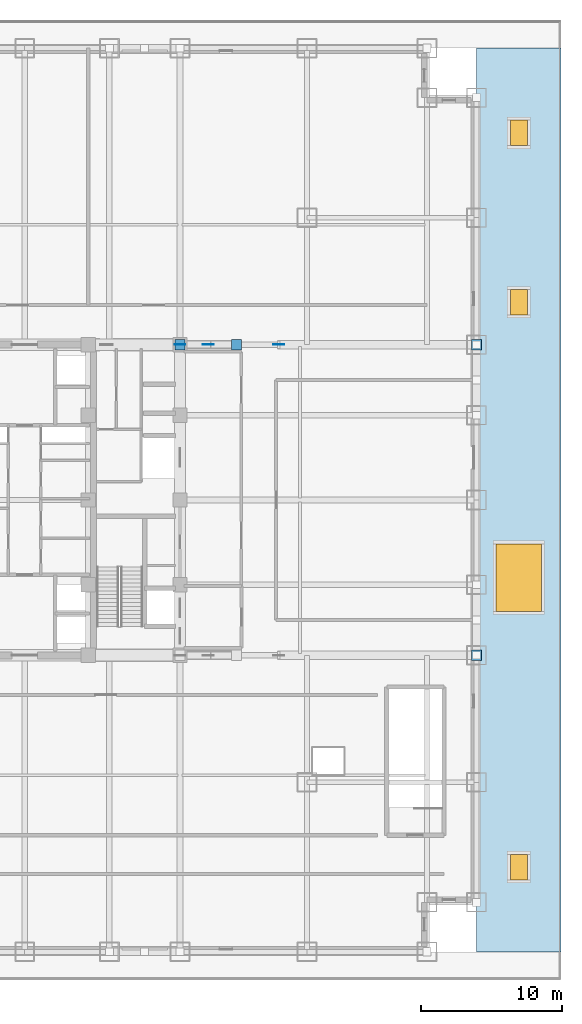
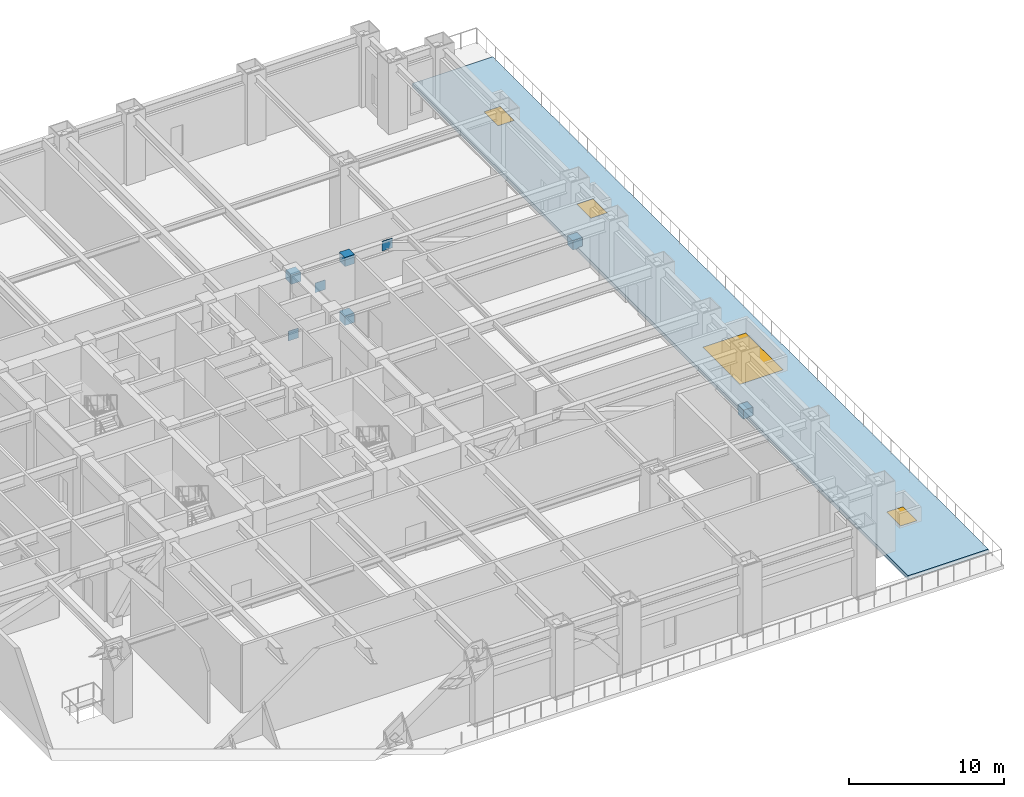
# One storey, part 9 of 21: 8 plates, 3 doors, 1 slab, 1 window, 4 openings.
"""IFC4 building model written with IfcOpenShell, lengths in metres."""

from ifc_helpers import new_model, si_unit, direction, frame, origin, origin_2d, place, context, subcontext, project, spatial, polyline, rectangle, outline, extrude, source, transform, mapped, material, layer, layer_set, type_object, element, fill, save


model = new_model("IFC4")

# Units and contexts
model_context = context("Model", 3, precision=1e-05, world=origin(), true_north=direction((0.0, 1.0)))
body_context = subcontext(model_context, "Body", "Model", "MODEL_VIEW")
ifc_project = project(units=[si_unit("LENGTHUNIT", "METRE"), si_unit("AREAUNIT", "SQUARE_METRE"), si_unit("VOLUMEUNIT", "CUBIC_METRE"), si_unit("PLANEANGLEUNIT", "RADIAN"), si_unit("MASSUNIT", "GRAM", prefix="KILO")], contexts=[model_context])

# Site, building, storey
site_placement = place(None, origin())
site = spatial("IfcSite", under=ifc_project, at=site_placement, CompositionType="ELEMENT")
building_placement = place(site_placement, origin())
building = spatial("IfcBuilding", under=site, at=building_placement, Name="Khorayat Bourse Tower", CompositionType="ELEMENT")
storey_placement = place(building_placement, frame((0.0, 0.0, 27.0)))
storey = spatial("IfcBuildingStorey", under=building, at=storey_placement, Name="L05", CompositionType="ELEMENT", Elevation=27.0)

# Slab, openings, doors, window
ifc_material_1 = material(Name="Concrete C40/50", Category="concrete")
ifc_layer_1 = layer(ifc_material_1, 0.300048828125)
ifc_layer_set_1 = layer_set([ifc_layer_1], Name="Concrete C40/50")
slab_type = type_object("IfcSlabType", Name="SLB-TERR-300", PredefinedType="FLOOR", material=ifc_layer_set_1)
slab_placement = place(storey_placement, frame((0.0, 0.0, -0.25)))
slab = element("IfcSlab", 1, at=slab_placement, inside=storey, type_object=slab_type, Name="L05 Planted Garden Terrace Slab 04", PredefinedType="FLOOR", context=body_context, shape_type="SweptSolid", body=[
    extrude(outline(polyline([(32.0, -32.0), (38.0, -32.0), (38.0, 32.0), (32.0, 32.0), (32.0, -32.0)]), holes=[polyline([(33.39990234375, -7.89990234375), (36.60009765625, -7.89990234375), (36.60009765625, -3.10009765625), (33.39990234375, -3.10009765625), (33.39990234375, -7.89990234375)]), polyline([(34.39990234375, -26.89990234375), (35.60009765625, -26.89990234375), (35.60009765625, -25.10009765625), (34.39990234375, -25.10009765625), (34.39990234375, -26.89990234375)]), polyline([(34.39990234375, 25.10009765625), (35.60009765625, 25.10009765625), (35.60009765625, 26.89990234375), (34.39990234375, 26.89990234375), (34.39990234375, 25.10009765625)]), polyline([(34.39990234375, 13.10009765625), (35.60009765625, 13.10009765625), (35.60009765625, 14.89990234375), (34.39990234375, 14.89990234375), (34.39990234375, 13.10009765625)])]), origin(), (0.0, 0.0, 1.0), 0.300048828125),
])
opening_1_placement = place(slab_placement, frame((35.0, -26.0, 0.0)))
opening_1 = element("IfcOpeningElement", 2, at=opening_1_placement, cuts=slab, Name="Opening RH-01", PredefinedType="OPENING", context=body_context, shape_type="SweptSolid", body=[
    extrude(rectangle(XDim=1.199951171875, YDim=1.800048828125, at=origin_2d()), origin(), (0.0, 0.0, 1.0), 0.300048828125),
])
opening_2_placement = place(slab_placement, frame((35.0, 26.0, 0.0)))
opening_2 = element("IfcOpeningElement", 3, at=opening_2_placement, cuts=slab, Name="Opening RH-01", PredefinedType="OPENING", context=body_context, shape_type="SweptSolid", body=[
    extrude(rectangle(XDim=1.199951171875, YDim=1.800048828125, at=origin_2d()), origin(), (0.0, 0.0, 1.0), 0.300048828125),
])
opening_3_placement = place(slab_placement, frame((35.0, 14.0, 0.0)))
opening_3 = element("IfcOpeningElement", 4, at=opening_3_placement, cuts=slab, Name="Opening RH-01", PredefinedType="OPENING", context=body_context, shape_type="SweptSolid", body=[
    extrude(rectangle(XDim=1.199951171875, YDim=1.800048828125, at=origin_2d()), origin(), (0.0, 0.0, 1.0), 0.300048828125),
])
opening_4_placement = place(slab_placement, frame((35.0, -5.5, 0.0)))
opening_4 = element("IfcOpeningElement", 5, at=opening_4_placement, cuts=slab, Name="Opening SK-01", PredefinedType="OPENING", context=body_context, shape_type="SweptSolid", body=[
    extrude(rectangle(XDim=3.199951171875, YDim=4.800048828125, at=origin_2d()), origin(), (0.0, 0.0, 1.0), 0.300048828125),
])
ifc_material_2 = material(Name="Thermally insulated aluminium roof hatch", Category="aluminium")
door_type = type_object("IfcDoorType", Name="DR-HATCH-ROOF", OperationType="NOTDEFINED", PredefinedType="TRAPDOOR", material=ifc_material_2)
door_1_placement = place(opening_1_placement, frame((0.0, 0.0, 0.25)))
door_1 = element("IfcDoor", 6, at=door_1_placement, inside=storey, type_object=door_type, Name="L05 Maintenance Access Hatch HT-ST3", OperationType="SINGLE_SWING_LEFT", OverallHeight=1.800048828125, OverallWidth=1.199951171875, PredefinedType="TRAPDOOR", context=body_context, shape_type="SweptSolid", body=[
    extrude(rectangle(XDim=1.199951171875, YDim=1.800048828125, at=origin_2d()), origin(), (0.0, 0.0, 1.0), 0.050048828125),
])
fill(opening_1, door_1)
door_2_placement = place(opening_2_placement, frame((0.0, 0.0, 0.25)))
door_2 = element("IfcDoor", 7, at=door_2_placement, inside=storey, type_object=door_type, Name="L05 Maintenance Access Hatch HT-MNT1", OperationType="SINGLE_SWING_LEFT", OverallHeight=1.800048828125, OverallWidth=1.199951171875, PredefinedType="TRAPDOOR", context=body_context, shape_type="SweptSolid", body=[
    extrude(rectangle(XDim=1.199951171875, YDim=1.800048828125, at=origin_2d()), origin(), (0.0, 0.0, 1.0), 0.050048828125),
])
fill(opening_2, door_2)
door_3_placement = place(opening_3_placement, frame((0.0, 0.0, 0.25)))
door_3 = element("IfcDoor", 8, at=door_3_placement, inside=storey, type_object=door_type, Name="L05 Maintenance Access Hatch HT-MNT2", OperationType="SINGLE_SWING_LEFT", OverallHeight=1.800048828125, OverallWidth=1.199951171875, PredefinedType="TRAPDOOR", context=body_context, shape_type="SweptSolid", body=[
    extrude(rectangle(XDim=1.199951171875, YDim=1.800048828125, at=origin_2d()), origin(), (0.0, 0.0, 1.0), 0.050048828125),
])
fill(opening_3, door_3)
ifc_material_3 = material(Name="Ceramic-fritted insulated rooflight glass", Category="glass")
window_type = type_object("IfcWindowType", Name="SKY-POD-3200x4800", PartitioningType="SINGLE_PANEL", PredefinedType="SKYLIGHT", material=ifc_material_3)
window_placement = place(opening_4_placement, frame((0.0, 0.0, 0.25)))
window = element("IfcWindow", 9, at=window_placement, inside=storey, type_object=window_type, Name="L05 Roof Lantern Skylight SKY-L05-E", OverallHeight=4.800048828125, OverallWidth=3.199951171875, PartitioningType="SINGLE_PANEL", PredefinedType="SKYLIGHT", context=body_context, shape_type="SweptSolid", body=[
    extrude(rectangle(XDim=3.199951171875, YDim=4.800048828125, at=origin_2d()), origin(), (0.0, 0.0, 1.0), 0.050048828125),
])
fill(opening_4, window)

# Plates
ifc_material_4 = material(Name="Steel EN 10025-4 S460M", Category="steel")
ifc_layer_2 = layer(ifc_material_4, 0.0400390625)
ifc_layer_set_2 = layer_set([ifc_layer_2], Name="Steel EN 10025-4 S460M")
plate_type_1 = type_object("IfcPlateType", Name="PLT-GUSSET-40", PredefinedType="USERDEFINED", material=ifc_layer_set_2)
shared_shape_1 = source(origin(), body_context, "Body", "SweptSolid", [
    extrude(rectangle(XDim=0.760009765625, YDim=0.0400390625, at=origin_2d()), origin(), (0.0, 0.0, 1.0), 0.760009765625),
])
for number, where, z_axis, x_axis, name in (
    (10, (11.0, 11.0, -0.02978515625), (0.0, 0.0, 1.0), (1.0, 0.0, 0.0), "L05 Outrigger Node Gusset Plate 22"),
    (11, (18.0, 11.0, 4.60986328125), (0.0, 0.0, 1.0), (1.0, 0.0, 0.0), "L05 Outrigger Node Gusset Plate 24"),
    (12, (13.0, 11.0, 3.06982421875), (0.0, 0.0, 1.0), (1.0, 0.0, 0.0), "L05 Outrigger X-Crossing Central Gusset Plate 26"),
):
    element("IfcPlate", number, at=place(storey_placement, frame(where, z_axis=z_axis, x_axis=x_axis)), inside=storey, type_object=plate_type_1, Name=name, ObjectType="GUSSET PLATE", PredefinedType="USERDEFINED", context=body_context, shape_type="MappedRepresentation", body=[
        mapped(shared_shape_1, transform((0.0, 0.0, 0.0), scale=1.0)),
    ])
ifc_layer_3 = layer(ifc_material_4, 0.031982421875)
ifc_layer_set_3 = layer_set([ifc_layer_3], Name="Steel EN 10025-4 S460M")
plate_type_2 = type_object("IfcPlateType", Name="PLT-GUSSET-32", PredefinedType="USERDEFINED", material=ifc_layer_set_3)
shared_shape_2 = source(origin(), body_context, "Body", "SweptSolid", [
    extrude(rectangle(XDim=0.719970703125, YDim=0.719970703125, at=origin_2d()), origin(), (0.0, 0.0, 1.0), 0.719970703125),
])
for number, where, z_axis, x_axis, name in (
    (13, (32.0, -11.0, -0.009765625), (0.0, 0.0, 1.0), (1.0, 0.0, 0.0), "L05 Outrigger Node Gusset Plate 18"),
    (14, (15.0, 11.0, 4.6298828125), (0.0, 0.0, 1.0), (1.0, 0.0, 0.0), "L05 Outrigger Node Gusset Plate 23"),
    (15, (32.0, 11.0, -0.009765625), (0.0, 0.0, 1.0), (1.0, 0.0, 0.0), "L05 Outrigger Node Gusset Plate 25"),
    (16, (11.0, 11.0, 4.6298828125), (0.0, 0.0, 1.0), (1.0, 0.0, 0.0), "L05 Belt Web Sealed Node Block 27"),
    (17, (15.0, 11.0, -0.009765625), (0.0, 0.0, 1.0), (1.0, 0.0, 0.0), "L05 Belt Web Sealed Node Block 28"),
):
    element("IfcPlate", number, at=place(storey_placement, frame(where, z_axis=z_axis, x_axis=x_axis)), inside=storey, type_object=plate_type_2, Name=name, ObjectType="GUSSET PLATE", PredefinedType="USERDEFINED", context=body_context, shape_type="MappedRepresentation", body=[
        mapped(shared_shape_2, transform((0.0, 0.0, 0.0), scale=1.0)),
    ])

save(model, "model.ifc")
